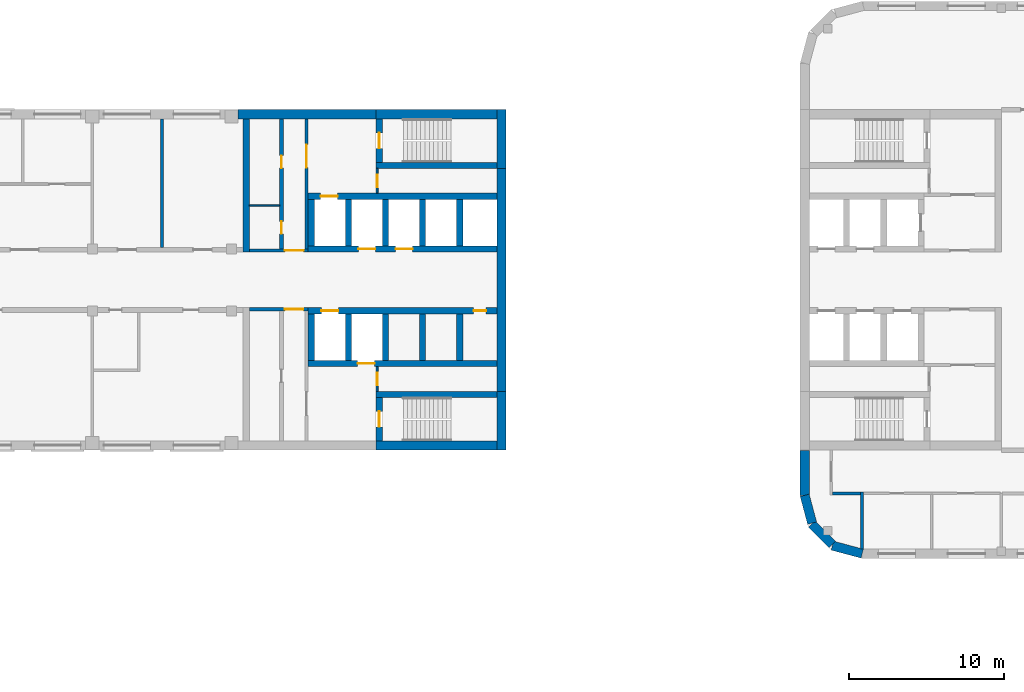
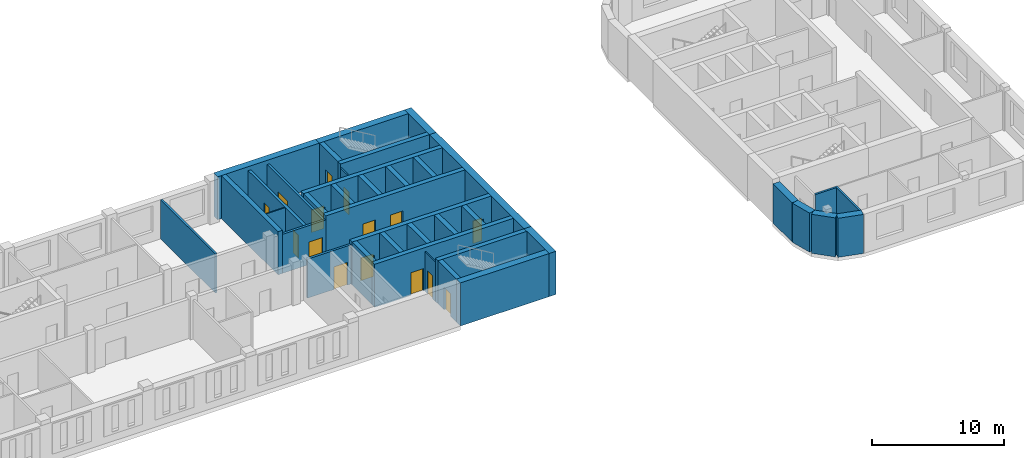
# One storey, part 6 of 10: 39 walls, 15 doors, 15 openings.
"""IFC4 building model written with IfcOpenShell, lengths in metres."""

import ifcopenshell
import ifcopenshell.guid

model = None  # the IFC model being written
_history = None  # IfcOwnerHistory: only IFC2X3 demands one
_inside = {}  # id of a spatial element -> (the spatial element, [elements in it])
_under = {}  # id of a project, library or spatial element -> (it, [spatial elements below it])
_declared = {}  # id of a project -> (the project, [libraries it declares])
_typed = {}  # id of a type object -> (the type object, [elements of that type])
_made_of = {}  # id of a material, layer set ... -> (it, [elements and type objects made of it])


def new_model(schema):
    """Start an empty IFC model of exactly this schema.

    Asked for "IFC4X3", IfcOpenShell would pick the latest addendum, in which some entities
    have other attributes; the version numbers below select the first issue.
    IFC2X3 requires an IfcOwnerHistory on every rooted entity: one is made here for all.
    """
    global model, _history
    if schema == "IFC4X3":
        model = ifcopenshell.file(schema_version=(4, 3, 0, 0))
    else:
        model = ifcopenshell.file(schema=schema)
    _inside.clear()
    _under.clear()
    _declared.clear()
    _typed.clear()
    _made_of.clear()
    _history = None
    if model.schema == "IFC2X3":
        org = make("IfcOrganization", Name="unknown")
        user = make(
            "IfcPersonAndOrganization",
            ThePerson=make("IfcPerson", FamilyName="unknown"),
            TheOrganization=org,
        )
        app = make(
            "IfcApplication",
            ApplicationDeveloper=org,
            Version="unknown",
            ApplicationFullName="unknown",
            ApplicationIdentifier="unknown",
        )
        _history = make(
            "IfcOwnerHistory",
            OwningUser=user,
            OwningApplication=app,
            ChangeAction="ADDED",
            CreationDate=0,
        )
    return model


def make(cls, **values):
    """One entity of the class cls with the attributes given. An attribute that is None is left unset."""
    return model.create_entity(
        cls, **{name: value for name, value in values.items() if value is not None}
    )


def rooted(cls, **values):
    """An entity with a GlobalId (a new one), such as an element, a storey or a relation."""
    return make(cls, GlobalId=ifcopenshell.guid.new(), OwnerHistory=_history, **values)


def si_unit(unit_type, name, prefix=None):
    """IfcSIUnit, for example si_unit("LENGTHUNIT", "METRE", prefix="MILLI")."""
    return make("IfcSIUnit", UnitType=unit_type, Prefix=prefix, Name=name)


def assignment(units):
    """IfcUnitAssignment: the units of a project."""
    return None if units is None else make("IfcUnitAssignment", Units=units)


def point(xyz):
    """IfcCartesianPoint."""
    return None if xyz is None else make("IfcCartesianPoint", Coordinates=xyz)


def direction(xyz):
    """IfcDirection."""
    return None if xyz is None else make("IfcDirection", DirectionRatios=xyz)


def frame(location, z_axis=None, x_axis=None):
    """IfcAxis2Placement3D, a coordinate frame: its origin and axes. An axis left out is left unset."""
    return make(
        "IfcAxis2Placement3D",
        Location=point(location),
        Axis=direction(z_axis),
        RefDirection=direction(x_axis),
    )


def frame_2d(location, x_axis=None):
    """IfcAxis2Placement2D, a coordinate frame in the plane: its origin and x axis."""
    return make(
        "IfcAxis2Placement2D", Location=point(location), RefDirection=direction(x_axis)
    )


def origin():
    """The frame at (0, 0, 0) with its axes left unset."""
    return frame((0.0, 0.0, 0.0))


def place(relative_to, where):
    """IfcLocalPlacement: puts the frame where relative to a parent placement (None: the world)."""
    return make(
        "IfcLocalPlacement", PlacementRelTo=relative_to, RelativePlacement=where
    )


def context(
    kind, dimensions, precision=None, world=None, true_north=None, identifier=None
):
    """IfcGeometricRepresentationContext, for example the 3D "Model" context."""
    return make(
        "IfcGeometricRepresentationContext",
        ContextIdentifier=identifier,
        ContextType=kind,
        CoordinateSpaceDimension=dimensions,
        Precision=precision,
        WorldCoordinateSystem=world,
        TrueNorth=true_north,
    )


def subcontext(parent, identifier, kind, view, scale=None):
    """IfcGeometricRepresentationSubContext, for example "Body" below "Model"."""
    return make(
        "IfcGeometricRepresentationSubContext",
        ContextIdentifier=identifier,
        ContextType=kind,
        ParentContext=parent,
        TargetScale=scale,
        TargetView=view,
    )


def project(units=None, contexts=None):
    """IfcProject with its units and contexts."""
    return rooted(
        "IfcProject",
        Name="project",
        RepresentationContexts=contexts,
        UnitsInContext=assignment(units),
    )


def spatial(cls, under=None, at=None, **own):
    """A site, building, storey or space (cls), placed at a placement, below another one or the project."""
    s = rooted(cls, ObjectPlacement=at, **own)
    if under is not None:
        _under.setdefault(under.id(), (under, []))[1].append(s)
    return s


def profile(cls, at=None, kind="AREA", **sizes):
    """A parametric profile (cls). Its sizes go by their IFC names, for example OverallWidth=200.0."""
    return make(cls, ProfileType=kind, Position=at, **sizes)


def rectangle(**sizes):
    """IfcRectangleProfileDef."""
    return profile("IfcRectangleProfileDef", **sizes)


def extrude(swept, where, along, depth):
    """IfcExtrudedAreaSolid: the profile swept, set in the frame where, extruded along a direction by depth."""
    return make(
        "IfcExtrudedAreaSolid",
        SweptArea=swept,
        Position=where,
        ExtrudedDirection=direction(along),
        Depth=depth,
    )


def shape(context_of_items, identifier, shape_type, items):
    """IfcShapeRepresentation: the items that make up one representation, for example the "Body"."""
    return make(
        "IfcShapeRepresentation",
        ContextOfItems=context_of_items,
        RepresentationIdentifier=identifier,
        RepresentationType=shape_type,
        Items=items,
    )


def material(Name=None, Category=None):
    """IfcMaterial."""
    return make("IfcMaterial", Name=Name, Category=Category)


def layer(
    of_material, thickness, ventilated=None, Name=None, Category=None, Priority=None
):
    """IfcMaterialLayer: one layer of a wall or slab, of a material (None: an air gap)."""
    return make(
        "IfcMaterialLayer",
        Material=of_material,
        LayerThickness=thickness,
        IsVentilated=ventilated,
        Name=Name,
        Category=Category,
        Priority=Priority,
    )


def layer_set(layers, Name=None):
    """IfcMaterialLayerSet."""
    return make("IfcMaterialLayerSet", MaterialLayers=layers, LayerSetName=Name)


def made_of(thing, what):
    """Note that an element or type object is made of a material, layer set ...; save() writes the relation."""
    if what is not None:
        _made_of.setdefault(what.id(), (what, []))[1].append(thing)
    return thing


def type_object(cls, material=None, **own):
    """A type object (cls), such as IfcWallType, which elements share."""
    return made_of(rooted(cls, **own), material)


def element(
    cls,
    number,
    at=None,
    inside=None,
    cuts=None,
    type_object=None,
    material=None,
    context=None,
    identifier="Body",
    shape_type=None,
    held_by="IfcProductDefinitionShape",
    body=None,
    shapes=None,
    **own,
):
    """One element of the class cls, such as IfcWall. Its Tag is "e" and its number.

    at: its placement. inside: the storey or other place that contains it. cuts: it is an
    opening in that element (IfcRelVoidsElement). A single representation is given by context,
    identifier, shape_type and body (its items); several are given by shapes. held_by: the class
    of the entity that holds the representations. save() writes the other relations.
    """
    e = rooted(cls, Tag="e%d" % number, ObjectPlacement=at, **own)
    if body is not None:
        shapes = [shape(context, identifier, shape_type, body)]
    if shapes is not None:
        e.Representation = make(held_by, Representations=shapes)
    if inside is not None:
        _inside.setdefault(inside.id(), (inside, []))[1].append(e)
    if cuts is not None:
        rooted(
            "IfcRelVoidsElement", RelatingBuildingElement=cuts, RelatedOpeningElement=e
        )
    if type_object is not None:
        _typed.setdefault(type_object.id(), (type_object, []))[1].append(e)
    return made_of(e, material)


def fill(opening, filler):
    """IfcRelFillsElement: the door or window that sits in an opening."""
    return rooted(
        "IfcRelFillsElement",
        RelatingOpeningElement=opening,
        RelatedBuildingElement=filler,
    )


def aggregate(whole, parts):
    """IfcRelAggregates: a whole, such as a stair, and the parts it consists of."""
    return rooted("IfcRelAggregates", RelatingObject=whole, RelatedObjects=parts)


def save(model, path):
    """Write the relations noted so far, then the file.

    IfcRelAggregates (storeys below a building ...), IfcRelContainedInSpatialStructure (elements
    in a storey), IfcRelDefinesByType, IfcRelAssociatesMaterial and IfcRelDeclares: one each for
    every whole, place, type object, material and project.
    """
    for whole, parts in _under.values():
        aggregate(whole, parts)
    for where, things in _inside.values():
        rooted(
            "IfcRelContainedInSpatialStructure",
            RelatedElements=things,
            RelatingStructure=where,
        )
    for kind, things in _typed.values():
        rooted("IfcRelDefinesByType", RelatedObjects=things, RelatingType=kind)
    for what, things in _made_of.values():
        rooted("IfcRelAssociatesMaterial", RelatedObjects=things, RelatingMaterial=what)
    for by, libraries in _declared.values():
        rooted("IfcRelDeclares", RelatingContext=by, RelatedDefinitions=libraries)
    model.write(path)


model = new_model("IFC4")

# Units and contexts
model_context = context("Model", 3, precision=1e-05, world=origin(), true_north=direction((0.0, 1.0)))
body_context = subcontext(model_context, "Body", "Model", "MODEL_VIEW")
ifc_project = project(units=[si_unit("LENGTHUNIT", "METRE"), si_unit("AREAUNIT", "SQUARE_METRE"), si_unit("VOLUMEUNIT", "CUBIC_METRE"), si_unit("PLANEANGLEUNIT", "RADIAN"), si_unit("MASSUNIT", "GRAM", prefix="KILO")], contexts=[model_context])

# Site, building, storey
site_placement = place(None, origin())
site = spatial("IfcSite", under=ifc_project, at=site_placement, CompositionType="ELEMENT")
building_placement = place(site_placement, origin())
building = spatial("IfcBuilding", under=site, at=building_placement, Name="Skarvind Civic Tower", CompositionType="ELEMENT")
storey_placement = place(building_placement, frame((0.0, 0.0, 101.0)))
storey = spatial("IfcBuildingStorey", under=building, at=storey_placement, Name="L23", CompositionType="ELEMENT", Elevation=101.0)

# Walls
ifc_material_1 = material(Name="Acoustic gypsum board on steel studs", Category="steel")
ifc_layer_1 = layer(ifc_material_1, 0.175048828125)
ifc_layer_set_1 = layer_set([ifc_layer_1], Name="ACOUSTIC MEETING-ROOM PARTITION 175")
wall_type_1 = type_object("IfcWallType", Name="ACOUSTIC MEETING-ROOM PARTITION 175", PredefinedType="PARTITIONING", material=ifc_layer_set_1)
wall_1_placement = place(storey_placement, frame((85.75, 130.10009765625, 0.0), z_axis=(0.0, 0.0, 1.0), x_axis=(0.0, 1.0, 0.0)))
element("IfcWall", 1, at=wall_1_placement, inside=storey, type_object=wall_type_1, Name="Partition 23.039", PredefinedType="PARTITIONING", context=body_context, shape_type="SweptSolid", body=[
    extrude(rectangle(XDim=8.2998046875, YDim=0.175048828125, at=frame_2d((4.14990234375, 0.0))), origin(), (0.0, 0.0, 1.0), 3.625),
])
wall_2_placement = place(storey_placement, frame((130.912109375, 114.199951171875, 0.0), z_axis=(0.0, 0.0, 1.0), x_axis=(-1.0, 0.0, 0.0)))
element("IfcWall", 2, at=wall_2_placement, inside=storey, type_object=wall_type_1, Name="Partition 23.002", PredefinedType="PARTITIONING", context=body_context, shape_type="SweptSolid", body=[
    extrude(rectangle(XDim=1.82421875, YDim=0.175048828125, at=frame_2d((0.912109375, 0.0))), origin(), (0.0, 0.0, 1.0), 3.625),
])
wall_3_placement = place(storey_placement, frame((131.0, 114.2880859375, 0.0), z_axis=(0.0, 0.0, 1.0), x_axis=(0.0, -1.0, 0.0)))
element("IfcWall", 3, at=wall_3_placement, inside=storey, type_object=wall_type_1, Name="Partition 23.004", PredefinedType="PARTITIONING", context=body_context, shape_type="SweptSolid", body=[
    extrude(rectangle(XDim=3.6669921875, YDim=0.175048828125, at=frame_2d((1.83349609375, 0.0))), origin(), (0.0, 0.0, 1.0), 3.625),
])

# Wall, opening, door
ifc_material_2 = material(Name="Fire-rated masonry partition", Category="masonry")
ifc_layer_2 = layer(ifc_material_2, 0.199951171875)
ifc_layer_set_2 = layer_set([ifc_layer_2], Name="Core enclosure wall 200")
wall_type_2 = type_object("IfcWallType", Name="Core enclosure wall 200", PredefinedType="PARTITIONING", material=ifc_layer_set_2)
wall_4_placement = place(storey_placement, frame((95.199951171875, 126.10009765625, 0.0), z_axis=(0.0, 0.0, 1.0), x_axis=(-1.0, 0.0, 0.0)))
wall_4 = element("IfcWall", 4, at=wall_4_placement, inside=storey, type_object=wall_type_2, Name="Core wall C1", PredefinedType="PARTITIONING", context=body_context, shape_type="SweptSolid", body=[
    extrude(rectangle(XDim=3.800048828125, YDim=0.199951171875, at=frame_2d((1.89990234375, 0.0))), origin(), (0.0, 0.0, 1.0), 3.625),
])
opening_1_placement = place(wall_4_placement, frame((0.300048828125, 0.0, 0.0)))
opening_1 = element("IfcOpeningElement", 5, at=opening_1_placement, cuts=wall_4, Name="Opening D-L23-C1-05", PredefinedType="OPENING", context=body_context, shape_type="SweptSolid", body=[
    extrude(rectangle(XDim=1.199951171875, YDim=2.10009765625, at=frame_2d((0.60009765625, 1.050048828125))), frame((0.0, 0.10986328125, 0.0), z_axis=(0.0, -1.0, 0.0), x_axis=(1.0, 0.0, 0.0)), (0.0, 0.0, 1.0), 0.219970703125),
])
ifc_material_3 = material(Name="Fire-rated steel door", Category="steel")
door_type_1 = type_object("IfcDoorType", Name="Core lobby door 1200", OperationType="NOTDEFINED", PredefinedType="DOOR", material=ifc_material_3)
door_1_placement = place(opening_1_placement, origin())
door_1 = element("IfcDoor", 6, at=door_1_placement, inside=storey, type_object=door_type_1, Name="Fire door", OperationType="DOUBLE_DOOR_SINGLE_SWING", OverallHeight=2.10009765625, OverallWidth=1.199951171875, PredefinedType="DOOR", context=body_context, shape_type="SweptSolid", body=[
    extrude(rectangle(XDim=1.199951171875, YDim=2.10009765625, at=frame_2d((0.60009765625, 1.050048828125))), frame((0.0, 0.02490234375, 0.0), z_axis=(0.0, -1.0, 0.0), x_axis=(1.0, 0.0, 0.0)), (0.0, 0.0, 1.0), 0.050048828125),
])
fill(opening_1, door_1)

wall_5_placement = place(storey_placement, frame((91.39990234375, 129.89990234375, 0.0), z_axis=(0.0, 0.0, 1.0), x_axis=(1.0, 0.0, 0.0)))
wall_5 = element("IfcWall", 7, at=wall_5_placement, inside=storey, type_object=wall_type_2, Name="Core wall C1", PredefinedType="PARTITIONING", context=body_context, shape_type="SweptSolid", body=[
    extrude(rectangle(XDim=3.800048828125, YDim=0.199951171875, at=frame_2d((1.89990234375, 0.0))), origin(), (0.0, 0.0, 1.0), 3.625),
])
opening_2_placement = place(wall_5_placement, frame((2.300048828125, 0.0, 0.0)))
opening_2 = element("IfcOpeningElement", 8, at=opening_2_placement, cuts=wall_5, Name="Opening D-L23-C1-10", PredefinedType="OPENING", context=body_context, shape_type="SweptSolid", body=[
    extrude(rectangle(XDim=1.199951171875, YDim=2.10009765625, at=frame_2d((0.60009765625, 1.050048828125))), frame((0.0, 0.10986328125, 0.0), z_axis=(0.0, -1.0, 0.0), x_axis=(1.0, 0.0, 0.0)), (0.0, 0.0, 1.0), 0.219970703125),
])
door_2_placement = place(opening_2_placement, origin())
door_2 = element("IfcDoor", 9, at=door_2_placement, inside=storey, type_object=door_type_1, Name="Fire door", OperationType="DOUBLE_DOOR_SINGLE_SWING", OverallHeight=2.10009765625, OverallWidth=1.199951171875, PredefinedType="DOOR", context=body_context, shape_type="SweptSolid", body=[
    extrude(rectangle(XDim=1.199951171875, YDim=2.10009765625, at=frame_2d((0.60009765625, 1.050048828125))), frame((0.0, 0.02490234375, 0.0), z_axis=(0.0, -1.0, 0.0), x_axis=(1.0, 0.0, 0.0)), (0.0, 0.0, 1.0), 0.050048828125),
])
fill(opening_2, door_2)

wall_6_placement = place(storey_placement, frame((95.10009765625, 130.0, 0.0), z_axis=(0.0, 0.0, 1.0), x_axis=(0.0, 1.0, 0.0)))
wall_6 = element("IfcWall", 10, at=wall_6_placement, inside=storey, type_object=wall_type_2, Name="Core wall C1", PredefinedType="PARTITIONING", context=body_context, shape_type="SweptSolid", body=[
    extrude(rectangle(XDim=8.39990234375, YDim=0.199951171875, at=frame_2d((4.199951171875, 0.0))), origin(), (0.0, 0.0, 1.0), 3.625),
])
opening_3_placement = place(wall_6_placement, frame((5.25, 0.0, 0.0)))
opening_3 = element("IfcOpeningElement", 11, at=opening_3_placement, cuts=wall_6, Name="Opening D-L23-C1-11", PredefinedType="OPENING", context=body_context, shape_type="SweptSolid", body=[
    extrude(rectangle(XDim=1.5, YDim=2.10009765625, at=frame_2d((0.75, 1.050048828125))), frame((0.0, 0.10986328125, 0.0), z_axis=(0.0, -1.0, 0.0), x_axis=(1.0, 0.0, 0.0)), (0.0, 0.0, 1.0), 0.219970703125),
])
door_type_2 = type_object("IfcDoorType", Name="Fire door 1500", OperationType="NOTDEFINED", PredefinedType="DOOR", material=ifc_material_3)
door_3_placement = place(opening_3_placement, origin())
door_3 = element("IfcDoor", 12, at=door_3_placement, inside=storey, type_object=door_type_2, Name="Fire door", OperationType="DOUBLE_DOOR_SINGLE_SWING", OverallHeight=2.10009765625, OverallWidth=1.5, PredefinedType="DOOR", context=body_context, shape_type="SweptSolid", body=[
    extrude(rectangle(XDim=1.5, YDim=2.10009765625, at=frame_2d((0.75, 1.050048828125))), frame((0.0, 0.02490234375, 0.0), z_axis=(0.0, -1.0, 0.0), x_axis=(1.0, 0.0, 0.0)), (0.0, 0.0, 1.0), 0.050048828125),
])
fill(opening_3, door_3)

# Walls
ifc_material_4 = material(Name="Fire-rated plasterboard partition")
ifc_layer_3 = layer(ifc_material_4, 0.10009765625)
ifc_layer_set_3 = layer_set([ifc_layer_3], Name="Core partition wall 100")
wall_type_3 = type_object("IfcWallType", Name="Core partition wall 100", PredefinedType="PARTITIONING", material=ifc_layer_set_3)
wall_7_placement = place(storey_placement, frame((91.39990234375, 132.800048828125, 0.0), z_axis=(0.0, 0.0, 1.0), x_axis=(1.0, 0.0, 0.0)))
element("IfcWall", 13, at=wall_7_placement, inside=storey, type_object=wall_type_3, Name="Core wall C1", PredefinedType="PARTITIONING", context=body_context, shape_type="SweptSolid", body=[
    extrude(rectangle(XDim=1.9501953125, YDim=0.10009765625, at=frame_2d((0.97509765625, 0.0))), origin(), (0.0, 0.0, 1.0), 3.625),
])
ifc_material_5 = material(Name="Concrete C80", Category="concrete")
ifc_layer_4 = layer(ifc_material_5, 0.39990234375)
ifc_layer_set_4 = layer_set([ifc_layer_4], Name="Core wall 400 C80")
wall_type_4 = type_object("IfcWallType", Name="Core wall 400 C80", PredefinedType="SHEAR", material=ifc_layer_set_4)
wall_8_placement = place(storey_placement, frame((107.39990234375, 135.39990234375, 0.0), z_axis=(0.0, 0.0, 1.0), x_axis=(-1.0, 0.0, 0.0)))
element("IfcWall", 14, at=wall_8_placement, inside=storey, type_object=wall_type_4, Name="Core wall C1 south stair inner L23", PredefinedType="SHEAR", context=body_context, shape_type="SweptSolid", body=[
    extrude(rectangle(XDim=7.7998046875, YDim=0.39990234375, at=frame_2d((3.89990234375, 0.0))), origin(), (0.0, 0.0, 1.0), 4.0),
])

# Wall, opening, door
wall_9_placement = place(storey_placement, frame((99.800048828125, 138.39990234375, 0.0), z_axis=(0.0, 0.0, 1.0), x_axis=(0.0, -1.0, 0.0)))
wall_9 = element("IfcWall", 15, at=wall_9_placement, inside=storey, type_object=wall_type_4, Name="Core wall C1 south stair end L23", PredefinedType="SHEAR", context=body_context, shape_type="SweptSolid", body=[
    extrude(rectangle(XDim=2.7998046875, YDim=0.39990234375, at=frame_2d((1.39990234375, 0.0))), origin(), (0.0, 0.0, 1.0), 4.0),
])
opening_4_placement = place(wall_9_placement, frame((0.89990234375, 0.0, 0.0)))
opening_4 = element("IfcOpeningElement", 16, at=opening_4_placement, cuts=wall_9, Name="Opening D-L23-C1-12", PredefinedType="OPENING", context=body_context, shape_type="SweptSolid", body=[
    extrude(rectangle(XDim=1.0, YDim=2.10009765625, at=frame_2d((0.5, 1.050048828125))), frame((0.0, 0.2099609375, 0.0), z_axis=(0.0, -1.0, 0.0), x_axis=(1.0, 0.0, 0.0)), (0.0, 0.0, 1.0), 0.419921875),
])
door_type_3 = type_object("IfcDoorType", Name="Fire door 1000", OperationType="NOTDEFINED", PredefinedType="DOOR", material=ifc_material_3)
door_4_placement = place(opening_4_placement, origin())
door_4 = element("IfcDoor", 17, at=door_4_placement, inside=storey, type_object=door_type_3, Name="Fire door", OperationType="SINGLE_SWING_RIGHT", OverallHeight=2.10009765625, OverallWidth=1.0, PredefinedType="DOOR", context=body_context, shape_type="SweptSolid", body=[
    extrude(rectangle(XDim=1.0, YDim=2.10009765625, at=frame_2d((0.5, 1.050048828125))), frame((0.0, 0.02490234375, 0.0), z_axis=(0.0, -1.0, 0.0), x_axis=(1.0, 0.0, 0.0)), (0.0, 0.0, 1.0), 0.050048828125),
])
fill(opening_4, door_4)

# Wall
wall_10_placement = place(storey_placement, frame((107.39990234375, 120.60009765625, 0.0), z_axis=(0.0, 0.0, 1.0), x_axis=(-1.0, 0.0, 0.0)))
element("IfcWall", 18, at=wall_10_placement, inside=storey, type_object=wall_type_4, Name="Core wall C1 north stair inner L23", PredefinedType="SHEAR", context=body_context, shape_type="SweptSolid", body=[
    extrude(rectangle(XDim=7.7998046875, YDim=0.39990234375, at=frame_2d((3.89990234375, 0.0))), origin(), (0.0, 0.0, 1.0), 4.0),
])

# Wall, opening, door
wall_11_placement = place(storey_placement, frame((99.800048828125, 120.39990234375, 0.0), z_axis=(0.0, 0.0, 1.0), x_axis=(0.0, -1.0, 0.0)))
wall_11 = element("IfcWall", 19, at=wall_11_placement, inside=storey, type_object=wall_type_4, Name="Core wall C1 north stair end L23", PredefinedType="SHEAR", context=body_context, shape_type="SweptSolid", body=[
    extrude(rectangle(XDim=2.7998046875, YDim=0.39990234375, at=frame_2d((1.39990234375, 0.0))), origin(), (0.0, 0.0, 1.0), 4.0),
])
opening_5_placement = place(wall_11_placement, frame((0.89990234375, 0.0, 0.0)))
opening_5 = element("IfcOpeningElement", 20, at=opening_5_placement, cuts=wall_11, Name="Opening D-L23-C1-07", PredefinedType="OPENING", context=body_context, shape_type="SweptSolid", body=[
    extrude(rectangle(XDim=1.0, YDim=2.10009765625, at=frame_2d((0.5, 1.050048828125))), frame((0.0, 0.2099609375, 0.0), z_axis=(0.0, -1.0, 0.0), x_axis=(1.0, 0.0, 0.0)), (0.0, 0.0, 1.0), 0.419921875),
])
door_5_placement = place(opening_5_placement, origin())
door_5 = element("IfcDoor", 21, at=door_5_placement, inside=storey, type_object=door_type_3, Name="Fire door", OperationType="SINGLE_SWING_LEFT", OverallHeight=2.10009765625, OverallWidth=1.0, PredefinedType="DOOR", context=body_context, shape_type="SweptSolid", body=[
    extrude(rectangle(XDim=1.0, YDim=2.10009765625, at=frame_2d((0.5, 1.050048828125))), frame((0.0, 0.02490234375, 0.0), z_axis=(0.0, -1.0, 0.0), x_axis=(1.0, 0.0, 0.0)), (0.0, 0.0, 1.0), 0.050048828125),
])
fill(opening_5, door_5)

# Wall, openings, doors
wall_12_placement = place(storey_placement, frame((107.39990234375, 130.0, 0.0), z_axis=(0.0, 0.0, 1.0), x_axis=(-1.0, 0.0, 0.0)))
wall_12 = element("IfcWall", 22, at=wall_12_placement, inside=storey, type_object=wall_type_4, Name="Core wall C1 south lift row front L23", PredefinedType="SHEAR", context=body_context, shape_type="SweptSolid", body=[
    extrude(rectangle(XDim=12.199951171875, YDim=0.39990234375, at=frame_2d((6.10009765625, 0.0))), origin(), (0.0, 0.0, 1.0), 4.0),
])
opening_6_placement = place(wall_12_placement, frame((5.449951171875, 0.0, 0.0)))
opening_6 = element("IfcOpeningElement", 23, at=opening_6_placement, cuts=wall_12, Name="Opening LD25108", PredefinedType="OPENING", context=body_context, shape_type="SweptSolid", body=[
    extrude(rectangle(XDim=1.10009765625, YDim=2.10009765625, at=frame_2d((0.550048828125, 1.050048828125))), frame((0.0, 0.2099609375, 0.0), z_axis=(0.0, -1.0, 0.0), x_axis=(1.0, 0.0, 0.0)), (0.0, 0.0, 1.0), 0.419921875),
])
opening_7_placement = place(wall_12_placement, frame((7.85009765625, 0.0, 0.0)))
opening_7 = element("IfcOpeningElement", 24, at=opening_7_placement, cuts=wall_12, Name="Opening LD25109", PredefinedType="OPENING", context=body_context, shape_type="SweptSolid", body=[
    extrude(rectangle(XDim=1.10009765625, YDim=2.10009765625, at=frame_2d((0.550048828125, 1.050048828125))), frame((0.0, 0.2099609375, 0.0), z_axis=(0.0, -1.0, 0.0), x_axis=(1.0, 0.0, 0.0)), (0.0, 0.0, 1.0), 0.419921875),
])
ifc_material_6 = material(Name="Stainless steel landing door", Category="steel")
door_type_4 = type_object("IfcDoorType", Name="Lift landing door 1100", OperationType="DOUBLE_DOOR_SLIDING", PredefinedType="DOOR", material=ifc_material_6)
door_6_placement = place(opening_6_placement, origin())
door_6 = element("IfcDoor", 25, at=door_6_placement, inside=storey, type_object=door_type_4, Name="Lift landing door", OperationType="DOUBLE_DOOR_SLIDING", OverallHeight=2.10009765625, OverallWidth=1.10009765625, PredefinedType="DOOR", context=body_context, shape_type="SweptSolid", body=[
    extrude(rectangle(XDim=1.10009765625, YDim=2.10009765625, at=frame_2d((0.550048828125, 1.050048828125))), frame((0.0, 0.02490234375, 0.0), z_axis=(0.0, -1.0, 0.0), x_axis=(1.0, 0.0, 0.0)), (0.0, 0.0, 1.0), 0.050048828125),
])
fill(opening_6, door_6)
door_7_placement = place(opening_7_placement, origin())
door_7 = element("IfcDoor", 26, at=door_7_placement, inside=storey, type_object=door_type_4, Name="Lift landing door", OperationType="DOUBLE_DOOR_SLIDING", OverallHeight=2.10009765625, OverallWidth=1.10009765625, PredefinedType="DOOR", context=body_context, shape_type="SweptSolid", body=[
    extrude(rectangle(XDim=1.10009765625, YDim=2.10009765625, at=frame_2d((0.550048828125, 1.050048828125))), frame((0.0, 0.02490234375, 0.0), z_axis=(0.0, -1.0, 0.0), x_axis=(1.0, 0.0, 0.0)), (0.0, 0.0, 1.0), 0.050048828125),
])
fill(opening_7, door_7)

# Wall, opening, door
wall_13_placement = place(storey_placement, frame((107.39990234375, 133.39990234375, 0.0), z_axis=(0.0, 0.0, 1.0), x_axis=(-1.0, 0.0, 0.0)))
wall_13 = element("IfcWall", 27, at=wall_13_placement, inside=storey, type_object=wall_type_4, Name="Core wall C1 south lift row back L23", PredefinedType="SHEAR", context=body_context, shape_type="SweptSolid", body=[
    extrude(rectangle(XDim=12.199951171875, YDim=0.39990234375, at=frame_2d((6.10009765625, 0.0))), origin(), (0.0, 0.0, 1.0), 4.0),
])
opening_8_placement = place(wall_13_placement, frame((10.300048828125, 0.0, 0.0)))
opening_8 = element("IfcOpeningElement", 28, at=opening_8_placement, cuts=wall_13, Name="Opening LD25110", PredefinedType="OPENING", context=body_context, shape_type="SweptSolid", body=[
    extrude(rectangle(XDim=1.10009765625, YDim=2.10009765625, at=frame_2d((0.550048828125, 1.050048828125))), frame((0.0, 0.2099609375, 0.0), z_axis=(0.0, -1.0, 0.0), x_axis=(1.0, 0.0, 0.0)), (0.0, 0.0, 1.0), 0.419921875),
])
door_8_placement = place(opening_8_placement, origin())
door_8 = element("IfcDoor", 29, at=door_8_placement, inside=storey, type_object=door_type_4, Name="Lift landing door", OperationType="DOUBLE_DOOR_SLIDING", OverallHeight=2.10009765625, OverallWidth=1.10009765625, PredefinedType="DOOR", context=body_context, shape_type="SweptSolid", body=[
    extrude(rectangle(XDim=1.10009765625, YDim=2.10009765625, at=frame_2d((0.550048828125, 1.050048828125))), frame((0.0, 0.02490234375, 0.0), z_axis=(0.0, -1.0, 0.0), x_axis=(1.0, 0.0, 0.0)), (0.0, 0.0, 1.0), 0.050048828125),
])
fill(opening_8, door_8)

# Walls
for number, where, z_axis, x_axis, name in (
    (30, (105.0, 133.199951171875, 0.0), (0.0, 0.0, 1.0), (0.0, -1.0, 0.0), "Core wall C1 south lift row division 1 L23"),
    (31, (102.60009765625, 133.199951171875, 0.0), (0.0, 0.0, 1.0), (0.0, -1.0, 0.0), "Core wall C1 south lift row division 2 L23"),
    (32, (100.199951171875, 133.199951171875, 0.0), (0.0, 0.0, 1.0), (0.0, -1.0, 0.0), "Core wall C1 south lift row division 3 L23"),
    (33, (97.800048828125, 133.199951171875, 0.0), (0.0, 0.0, 1.0), (0.0, -1.0, 0.0), "Core wall C1 south lift row division 4 L23"),
    (34, (95.39990234375, 133.199951171875, 0.0), (0.0, 0.0, 1.0), (0.0, -1.0, 0.0), "Core wall C1 south lift row division 5 L23"),
):
    element("IfcWall", number, at=place(storey_placement, frame(where, z_axis=z_axis, x_axis=x_axis)), inside=storey, type_object=wall_type_4, Name=name, PredefinedType="SHEAR", context=body_context, shape_type="SweptSolid", body=[
        extrude(rectangle(XDim=3.0, YDim=0.39990234375, at=frame_2d((1.5, 0.0))), origin(), (0.0, 0.0, 1.0), 4.0),
    ])

# Wall, openings, doors
wall_14_placement = place(storey_placement, frame((107.39990234375, 126.0, 0.0), z_axis=(0.0, 0.0, 1.0), x_axis=(-1.0, 0.0, 0.0)))
wall_14 = element("IfcWall", 35, at=wall_14_placement, inside=storey, type_object=wall_type_4, Name="Core wall C1 north lift row front L23", PredefinedType="SHEAR", context=body_context, shape_type="SweptSolid", body=[
    extrude(rectangle(XDim=12.199951171875, YDim=0.39990234375, at=frame_2d((6.10009765625, 0.0))), origin(), (0.0, 0.0, 1.0), 4.0),
])
opening_9_placement = place(wall_14_placement, frame((10.25, 0.0, 0.0)))
opening_9 = element("IfcOpeningElement", 36, at=opening_9_placement, cuts=wall_14, Name="Opening LD25105", PredefinedType="OPENING", context=body_context, shape_type="SweptSolid", body=[
    extrude(rectangle(XDim=1.10009765625, YDim=2.10009765625, at=frame_2d((0.550048828125, 1.050048828125))), frame((0.0, 0.2099609375, 0.0), z_axis=(0.0, -1.0, 0.0), x_axis=(1.0, 0.0, 0.0)), (0.0, 0.0, 1.0), 0.419921875),
])
opening_10_placement = place(wall_14_placement, frame((0.699951171875, 0.0, 0.0)))
opening_10 = element("IfcOpeningElement", 37, at=opening_10_placement, cuts=wall_14, Name="Opening D-L23-C1-04", PredefinedType="OPENING", context=body_context, shape_type="SweptSolid", body=[
    extrude(rectangle(XDim=0.800048828125, YDim=2.10009765625, at=frame_2d((0.39990234375, 1.050048828125))), frame((0.0, 0.2099609375, 0.0), z_axis=(0.0, -1.0, 0.0), x_axis=(1.0, 0.0, 0.0)), (0.0, 0.0, 1.0), 0.419921875),
])
door_type_5 = type_object("IfcDoorType", Name="Core riser door 800", OperationType="NOTDEFINED", PredefinedType="DOOR", material=ifc_material_3)
door_9_placement = place(opening_10_placement, origin())
door_9 = element("IfcDoor", 38, at=door_9_placement, inside=storey, type_object=door_type_5, Name="Riser door", OperationType="SINGLE_SWING_LEFT", OverallHeight=2.10009765625, OverallWidth=0.800048828125, PredefinedType="DOOR", context=body_context, shape_type="SweptSolid", body=[
    extrude(rectangle(XDim=0.800048828125, YDim=2.10009765625, at=frame_2d((0.39990234375, 1.050048828125))), frame((0.0, 0.02490234375, 0.0), z_axis=(0.0, -1.0, 0.0), x_axis=(1.0, 0.0, 0.0)), (0.0, 0.0, 1.0), 0.050048828125),
])
fill(opening_10, door_9)
door_10_placement = place(opening_9_placement, origin())
door_10 = element("IfcDoor", 39, at=door_10_placement, inside=storey, type_object=door_type_4, Name="Lift landing door", OperationType="DOUBLE_DOOR_SLIDING", OverallHeight=2.10009765625, OverallWidth=1.10009765625, PredefinedType="DOOR", context=body_context, shape_type="SweptSolid", body=[
    extrude(rectangle(XDim=1.10009765625, YDim=2.10009765625, at=frame_2d((0.550048828125, 1.050048828125))), frame((0.0, 0.02490234375, 0.0), z_axis=(0.0, -1.0, 0.0), x_axis=(1.0, 0.0, 0.0)), (0.0, 0.0, 1.0), 0.050048828125),
])
fill(opening_9, door_10)

# Wall, opening, door
wall_15_placement = place(storey_placement, frame((107.39990234375, 122.60009765625, 0.0), z_axis=(0.0, 0.0, 1.0), x_axis=(-1.0, 0.0, 0.0)))
wall_15 = element("IfcWall", 40, at=wall_15_placement, inside=storey, type_object=wall_type_4, Name="Core wall C1 north lift row back L23", PredefinedType="SHEAR", context=body_context, shape_type="SweptSolid", body=[
    extrude(rectangle(XDim=12.199951171875, YDim=0.39990234375, at=frame_2d((6.10009765625, 0.0))), origin(), (0.0, 0.0, 1.0), 4.0),
])
opening_11_placement = place(wall_15_placement, frame((7.89990234375, 0.0, 0.0)))
opening_11 = element("IfcOpeningElement", 41, at=opening_11_placement, cuts=wall_15, Name="Opening LD25104", PredefinedType="OPENING", context=body_context, shape_type="SweptSolid", body=[
    extrude(rectangle(XDim=1.10009765625, YDim=2.10009765625, at=frame_2d((0.550048828125, 1.050048828125))), frame((0.0, 0.2099609375, 0.0), z_axis=(0.0, -1.0, 0.0), x_axis=(1.0, 0.0, 0.0)), (0.0, 0.0, 1.0), 0.419921875),
])
door_11_placement = place(opening_11_placement, origin())
door_11 = element("IfcDoor", 42, at=door_11_placement, inside=storey, type_object=door_type_4, Name="Lift landing door", OperationType="DOUBLE_DOOR_SLIDING", OverallHeight=2.10009765625, OverallWidth=1.10009765625, PredefinedType="DOOR", context=body_context, shape_type="SweptSolid", body=[
    extrude(rectangle(XDim=1.10009765625, YDim=2.10009765625, at=frame_2d((0.550048828125, 1.050048828125))), frame((0.0, 0.02490234375, 0.0), z_axis=(0.0, -1.0, 0.0), x_axis=(1.0, 0.0, 0.0)), (0.0, 0.0, 1.0), 0.050048828125),
])
fill(opening_11, door_11)

# Walls
for number, where, z_axis, x_axis, name in (
    (43, (105.0, 125.800048828125, 0.0), (0.0, 0.0, 1.0), (0.0, -1.0, 0.0), "Core wall C1 north lift row division 1 L23"),
    (44, (102.60009765625, 125.800048828125, 0.0), (0.0, 0.0, 1.0), (0.0, -1.0, 0.0), "Core wall C1 north lift row division 2 L23"),
    (45, (100.199951171875, 125.800048828125, 0.0), (0.0, 0.0, 1.0), (0.0, -1.0, 0.0), "Core wall C1 north lift row division 3 L23"),
    (46, (97.800048828125, 125.800048828125, 0.0), (0.0, 0.0, 1.0), (0.0, -1.0, 0.0), "Core wall C1 north lift row division 4 L23"),
    (47, (95.39990234375, 125.800048828125, 0.0), (0.0, 0.0, 1.0), (0.0, -1.0, 0.0), "Core wall C1 north lift row division 5 L23"),
):
    element("IfcWall", number, at=place(storey_placement, frame(where, z_axis=z_axis, x_axis=x_axis)), inside=storey, type_object=wall_type_4, Name=name, PredefinedType="SHEAR", context=body_context, shape_type="SweptSolid", body=[
        extrude(rectangle(XDim=3.0, YDim=0.39990234375, at=frame_2d((1.5, 0.0))), origin(), (0.0, 0.0, 1.0), 4.0),
    ])
wall_16_placement = place(storey_placement, frame((91.199951171875, 138.39990234375, 0.0), z_axis=(0.0, 0.0, 1.0), x_axis=(0.0, -1.0, 0.0)))
element("IfcWall", 48, at=wall_16_placement, inside=storey, type_object=wall_type_4, Name="Core wall C1 south inner face L23", PredefinedType="SHEAR", context=body_context, shape_type="SweptSolid", body=[
    extrude(rectangle(XDim=8.599853515625, YDim=0.39990234375, at=frame_2d((4.2998046875, 0.0))), origin(), (0.0, 0.0, 1.0), 4.0),
])
ifc_layer_5 = layer(ifc_material_5, 0.60009765625)
ifc_layer_set_5 = layer_set([ifc_layer_5], Name="Core wall 600 C80")
wall_type_5 = type_object("IfcWallType", Name="Core wall 600 C80", PredefinedType="SHEAR", material=ifc_layer_set_5)
wall_17_placement = place(storey_placement, frame((107.699951171875, 139.0, 0.0), z_axis=(0.0, 0.0, 1.0), x_axis=(0.0, -1.0, 0.0)))
element("IfcWall", 49, at=wall_17_placement, inside=storey, type_object=wall_type_5, Name="Core wall C1 tip at the south stair L23", PredefinedType="SHEAR", context=body_context, shape_type="SweptSolid", body=[
    extrude(rectangle(XDim=3.800048828125, YDim=0.60009765625, at=frame_2d((1.89990234375, 0.0))), origin(), (0.0, 0.0, 1.0), 4.0),
])
wall_18_placement = place(storey_placement, frame((107.699951171875, 135.199951171875, 0.0), z_axis=(0.0, 0.0, 1.0), x_axis=(0.0, -1.0, 0.0)))
element("IfcWall", 50, at=wall_18_placement, inside=storey, type_object=wall_type_5, Name="Core wall C1 tip between the stairs L23", PredefinedType="SHEAR", context=body_context, shape_type="SweptSolid", body=[
    extrude(rectangle(XDim=14.39990234375, YDim=0.60009765625, at=frame_2d((7.199951171875, 0.0))), origin(), (0.0, 0.0, 1.0), 4.0),
])
wall_19_placement = place(storey_placement, frame((107.699951171875, 120.800048828125, 0.0), z_axis=(0.0, 0.0, 1.0), x_axis=(0.0, -1.0, 0.0)))
element("IfcWall", 51, at=wall_19_placement, inside=storey, type_object=wall_type_5, Name="Core wall C1 tip at the north stair L23", PredefinedType="SHEAR", context=body_context, shape_type="SweptSolid", body=[
    extrude(rectangle(XDim=3.800048828125, YDim=0.60009765625, at=frame_2d((1.89990234375, 0.0))), origin(), (0.0, 0.0, 1.0), 4.0),
])
for number, where, z_axis, x_axis, name in (
    (52, (107.39990234375, 138.699951171875, 0.0), (0.0, 0.0, 1.0), (-1.0, 0.0, 0.0), "Core wall C1 south side at the stair L23"),
    (53, (107.39990234375, 117.300048828125, 0.0), (0.0, 0.0, 1.0), (-1.0, 0.0, 0.0), "Core wall C1 north side at the stair L23"),
):
    element("IfcWall", number, at=place(storey_placement, frame(where, z_axis=z_axis, x_axis=x_axis)), inside=storey, type_object=wall_type_5, Name=name, PredefinedType="SHEAR", context=body_context, shape_type="SweptSolid", body=[
        extrude(rectangle(XDim=7.7998046875, YDim=0.60009765625, at=frame_2d((3.89990234375, 0.0))), origin(), (0.0, 0.0, 1.0), 4.0),
    ])
wall_20_placement = place(storey_placement, frame((99.60009765625, 138.699951171875, 0.0), z_axis=(0.0, 0.0, 1.0), x_axis=(-1.0, 0.0, 0.0)))
element("IfcWall", 54, at=wall_20_placement, inside=storey, type_object=wall_type_5, Name="Core wall C1 south side L23", PredefinedType="SHEAR", context=body_context, shape_type="SweptSolid", body=[
    extrude(rectangle(XDim=8.925048828125, YDim=0.60009765625, at=frame_2d((4.46240234375, 0.0))), origin(), (0.0, 0.0, 1.0), 4.0),
])

# Wall, opening, door
ifc_layer_6 = layer(ifc_material_2, 0.125)
ifc_layer_set_6 = layer_set([ifc_layer_6], Name="Riser wall 125")
wall_type_6 = type_object("IfcWallType", Name="Riser wall 125", PredefinedType="PARTITIONING", material=ifc_layer_set_6)
wall_21_placement = place(storey_placement, frame((99.66259765625, 120.800048828125, 0.0), z_axis=(0.0, 0.0, 1.0), x_axis=(0.0, 1.0, 0.0)))
wall_21 = element("IfcWall", 55, at=wall_21_placement, inside=storey, type_object=wall_type_6, Name="Core wall C1", PredefinedType="PARTITIONING", context=body_context, shape_type="SweptSolid", body=[
    extrude(rectangle(XDim=1.599853515625, YDim=0.125, at=frame_2d((0.7998046875, 0.0))), origin(), (0.0, 0.0, 1.0), 3.625),
])
opening_12_placement = place(wall_21_placement, frame((0.39990234375, 0.0, 0.0)))
opening_12 = element("IfcOpeningElement", 56, at=opening_12_placement, cuts=wall_21, Name="Opening D-L23-C1-08", PredefinedType="OPENING", context=body_context, shape_type="SweptSolid", body=[
    extrude(rectangle(XDim=0.800048828125, YDim=2.10009765625, at=frame_2d((0.39990234375, 1.050048828125))), frame((0.0, 0.072509765625, 0.0), z_axis=(0.0, -1.0, 0.0), x_axis=(1.0, 0.0, 0.0)), (0.0, 0.0, 1.0), 0.14501953125),
])
door_12_placement = place(opening_12_placement, origin())
door_12 = element("IfcDoor", 57, at=door_12_placement, inside=storey, type_object=door_type_5, Name="Riser door", OperationType="SINGLE_SWING_RIGHT", OverallHeight=2.10009765625, OverallWidth=0.800048828125, PredefinedType="DOOR", context=body_context, shape_type="SweptSolid", body=[
    extrude(rectangle(XDim=0.800048828125, YDim=2.10009765625, at=frame_2d((0.39990234375, 1.050048828125))), frame((0.0, 0.02490234375, 0.0), z_axis=(0.0, -1.0, 0.0), x_axis=(1.0, 0.0, 0.0)), (0.0, 0.0, 1.0), 0.050048828125),
])
fill(opening_12, door_12)

wall_22_placement = place(storey_placement, frame((99.66259765625, 133.60009765625, 0.0), z_axis=(0.0, 0.0, 1.0), x_axis=(0.0, 1.0, 0.0)))
wall_22 = element("IfcWall", 58, at=wall_22_placement, inside=storey, type_object=wall_type_6, Name="Core wall C1", PredefinedType="PARTITIONING", context=body_context, shape_type="SweptSolid", body=[
    extrude(rectangle(XDim=1.599853515625, YDim=0.125, at=frame_2d((0.7998046875, 0.0))), origin(), (0.0, 0.0, 1.0), 3.625),
])
opening_13_placement = place(wall_22_placement, frame((0.39990234375, 0.0, 0.0)))
opening_13 = element("IfcOpeningElement", 59, at=opening_13_placement, cuts=wall_22, Name="Opening D-L23-C1-13", PredefinedType="OPENING", context=body_context, shape_type="SweptSolid", body=[
    extrude(rectangle(XDim=0.800048828125, YDim=2.10009765625, at=frame_2d((0.39990234375, 1.050048828125))), frame((0.0, 0.072509765625, 0.0), z_axis=(0.0, -1.0, 0.0), x_axis=(1.0, 0.0, 0.0)), (0.0, 0.0, 1.0), 0.14501953125),
])
door_13_placement = place(opening_13_placement, origin())
door_13 = element("IfcDoor", 60, at=door_13_placement, inside=storey, type_object=door_type_5, Name="Riser door", OperationType="SINGLE_SWING_LEFT", OverallHeight=2.10009765625, OverallWidth=0.800048828125, PredefinedType="DOOR", context=body_context, shape_type="SweptSolid", body=[
    extrude(rectangle(XDim=0.800048828125, YDim=2.10009765625, at=frame_2d((0.39990234375, 1.050048828125))), frame((0.0, 0.02490234375, 0.0), z_axis=(0.0, -1.0, 0.0), x_axis=(1.0, 0.0, 0.0)), (0.0, 0.0, 1.0), 0.050048828125),
])
fill(opening_13, door_13)

# Wall, openings, doors
ifc_layer_7 = layer(ifc_material_2, 0.25)
ifc_layer_set_7 = layer_set([ifc_layer_7], Name="Service block wall 250")
wall_type_7 = type_object("IfcWallType", Name="Service block wall 250", PredefinedType="PARTITIONING", material=ifc_layer_set_7)
wall_23_placement = place(storey_placement, frame((93.47509765625, 130.0, 0.0), z_axis=(0.0, 0.0, 1.0), x_axis=(0.0, 1.0, 0.0)))
wall_23 = element("IfcWall", 61, at=wall_23_placement, inside=storey, type_object=wall_type_7, Name="Core wall C1", PredefinedType="PARTITIONING", context=body_context, shape_type="SweptSolid", body=[
    extrude(rectangle(XDim=8.39990234375, YDim=0.25, at=frame_2d((4.199951171875, 0.0))), origin(), (0.0, 0.0, 1.0), 3.625),
])
opening_14_placement = place(wall_23_placement, frame((0.97509765625, 0.0, 0.0)))
opening_14 = element("IfcOpeningElement", 62, at=opening_14_placement, cuts=wall_23, Name="Opening D-L23-C1-14", PredefinedType="OPENING", context=body_context, shape_type="SweptSolid", body=[
    extrude(rectangle(XDim=0.800048828125, YDim=2.10009765625, at=frame_2d((0.39990234375, 1.050048828125))), frame((0.0, 0.135009765625, 0.0), z_axis=(0.0, -1.0, 0.0), x_axis=(1.0, 0.0, 0.0)), (0.0, 0.0, 1.0), 0.27001953125),
])
opening_15_placement = place(wall_23_placement, frame((5.22509765625, 0.0, 0.0)))
opening_15 = element("IfcOpeningElement", 63, at=opening_15_placement, cuts=wall_23, Name="Opening D-L23-C1-15", PredefinedType="OPENING", context=body_context, shape_type="SweptSolid", body=[
    extrude(rectangle(XDim=0.800048828125, YDim=2.10009765625, at=frame_2d((0.39990234375, 1.050048828125))), frame((0.0, 0.135009765625, 0.0), z_axis=(0.0, -1.0, 0.0), x_axis=(1.0, 0.0, 0.0)), (0.0, 0.0, 1.0), 0.27001953125),
])
door_14_placement = place(opening_14_placement, origin())
door_14 = element("IfcDoor", 64, at=door_14_placement, inside=storey, type_object=door_type_5, Name="Riser door", OperationType="SINGLE_SWING_RIGHT", OverallHeight=2.10009765625, OverallWidth=0.800048828125, PredefinedType="DOOR", context=body_context, shape_type="SweptSolid", body=[
    extrude(rectangle(XDim=0.800048828125, YDim=2.10009765625, at=frame_2d((0.39990234375, 1.050048828125))), frame((0.0, 0.02490234375, 0.0), z_axis=(0.0, -1.0, 0.0), x_axis=(1.0, 0.0, 0.0)), (0.0, 0.0, 1.0), 0.050048828125),
])
fill(opening_14, door_14)
door_15_placement = place(opening_15_placement, origin())
door_15 = element("IfcDoor", 65, at=door_15_placement, inside=storey, type_object=door_type_5, Name="Riser door", OperationType="SINGLE_SWING_LEFT", OverallHeight=2.10009765625, OverallWidth=0.800048828125, PredefinedType="DOOR", context=body_context, shape_type="SweptSolid", body=[
    extrude(rectangle(XDim=0.800048828125, YDim=2.10009765625, at=frame_2d((0.39990234375, 1.050048828125))), frame((0.0, 0.02490234375, 0.0), z_axis=(0.0, -1.0, 0.0), x_axis=(1.0, 0.0, 0.0)), (0.0, 0.0, 1.0), 0.050048828125),
])
fill(opening_15, door_15)

# Walls
ifc_material_7 = material(Name="Limestone masonry cladding on insulated backing", Category="masonry")
ifc_layer_8 = layer(ifc_material_7, 0.60009765625)
ifc_layer_set_8 = layer_set([ifc_layer_8], Name="WX1 STONE FACADE WALL 600")
wall_type_8 = type_object("IfcWallType", Name="WX1 STONE FACADE WALL 600", PredefinedType="SOLIDWALL", material=ifc_layer_set_8)
wall_24_placement = place(storey_placement, frame((127.300048828125, 114.070068359375, 0.0), z_axis=(0.0, 0.0, 1.0), x_axis=(0.0, 1.0, 0.0)))
element("IfcWall", 66, at=wall_24_placement, inside=storey, type_object=wall_type_8, Name="STONE FACADE WALL", PredefinedType="SOLIDWALL", context=body_context, shape_type="SweptSolid", body=[
    extrude(rectangle(XDim=2.909912109375, YDim=0.60009765625, at=frame_2d((1.455078125, 0.0))), origin(), (0.0, 0.0, 1.0), 3.625),
])
for number, where, z_axis, x_axis, name in (
    (67, (127.771240234375, 112.280517578125, 0.0), (0.0, 0.0, 1.0), (-0.258773254036, 0.965938094805, 0.0), "STONE FACADE WALL"),
    (68, (129.063720703125, 110.896484375, 0.0), (0.0, 0.0, 1.0), (-0.707106781187, 0.707106781187, 0.0), "STONE FACADE WALL"),
):
    element("IfcWall", number, at=place(storey_placement, frame(where, z_axis=z_axis, x_axis=x_axis)), inside=storey, type_object=wall_type_8, Name=name, PredefinedType="SOLIDWALL", context=body_context, shape_type="SweptSolid", body=[
        extrude(rectangle(XDim=1.860595703125, YDim=0.60009765625, at=frame_2d((0.93017578125, 0.0))), origin(), (0.0, 0.0, 1.0), 3.625),
    ])
wall_25_placement = place(storey_placement, frame((131.010009765625, 110.307861328125, 0.0), z_axis=(0.0, 0.0, 1.0), x_axis=(-0.965920269068, 0.258839784042, 0.0)))
element("IfcWall", 69, at=wall_25_placement, inside=storey, type_object=wall_type_8, Name="STONE FACADE WALL", PredefinedType="SOLIDWALL", context=body_context, shape_type="SweptSolid", body=[
    extrude(rectangle(XDim=2.00048828125, YDim=0.60009765625, at=frame_2d((1.000244140625, 0.0))), origin(), (0.0, 0.0, 1.0), 3.625),
])

save(model, "model.ifc")
